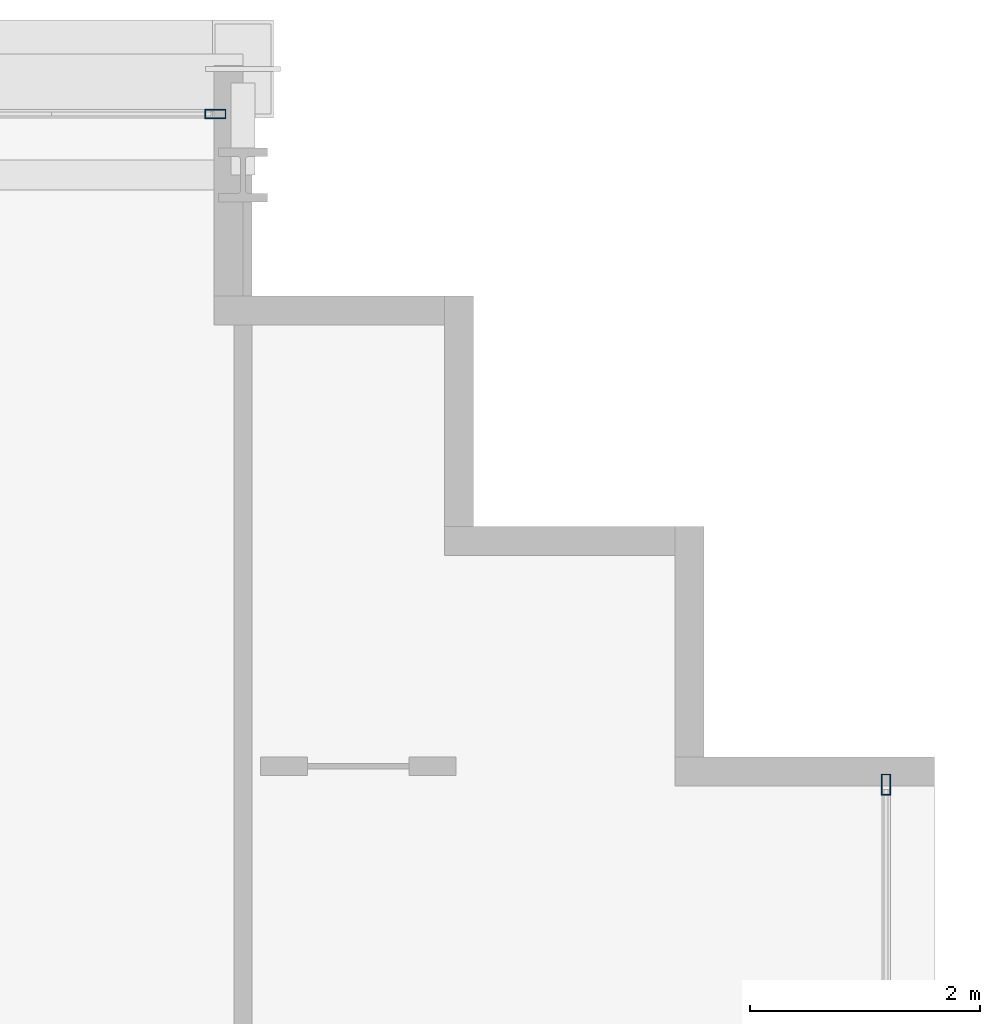
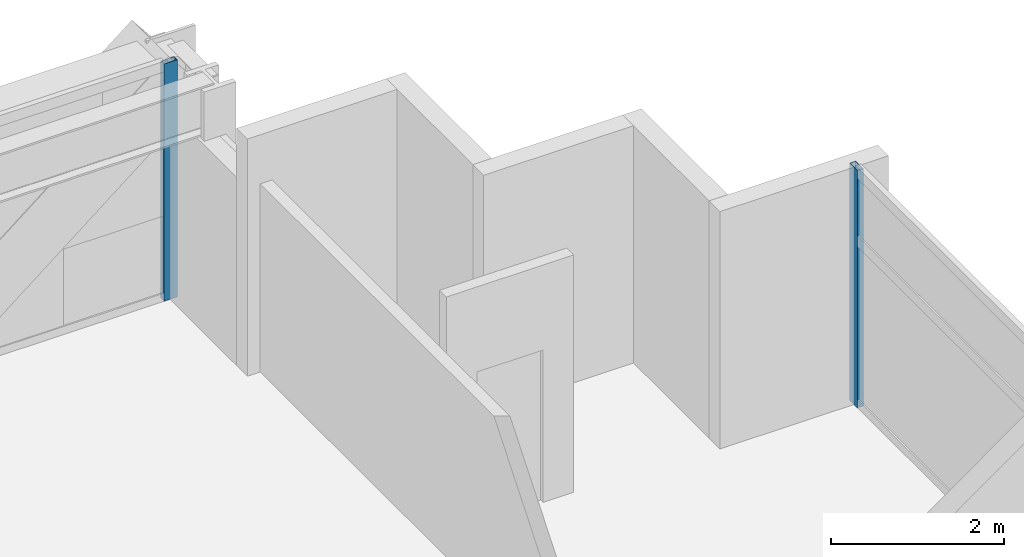
# One storey, part 22 of 38: 2 members, 2 elements without a shape of their own.
"""IFC4 building model written with IfcOpenShell, lengths in metres."""

from ifc_helpers import new_model, si_unit, direction, frame, origin, origin_2d, place, context, subcontext, project, spatial, hollow_rectangle, extrude, source, transform, mapped, material, layer, layer_set, material_profile, profile_set, type_object, element, aggregate, save


model = new_model("IFC4")

# Units and contexts
model_context = context("Model", 3, precision=1e-05, world=origin(), true_north=direction((0.0, 1.0)))
body_context = subcontext(model_context, "Body", "Model", "MODEL_VIEW")
ifc_project = project(units=[si_unit("LENGTHUNIT", "METRE"), si_unit("AREAUNIT", "SQUARE_METRE"), si_unit("VOLUMEUNIT", "CUBIC_METRE"), si_unit("PLANEANGLEUNIT", "RADIAN"), si_unit("MASSUNIT", "GRAM", prefix="KILO")], contexts=[model_context])

# Site, building, storey
site_placement = place(None, origin())
site = spatial("IfcSite", under=ifc_project, at=site_placement, CompositionType="ELEMENT")
building_placement = place(site_placement, origin())
building = spatial("IfcBuilding", under=site, at=building_placement, Name="Ocotamira Hotel", CompositionType="ELEMENT")
storey_placement = place(building_placement, frame((0.0, 0.0, 45.60009765625)))
storey = spatial("IfcBuildingStorey", under=building, at=storey_placement, Name="L10", CompositionType="ELEMENT", Elevation=45.60009765625)

# Curtain wall, member
ifc_material_1 = material(Name="Anodised pale-metal aluminium and solar glass", Category="aluminium")
ifc_layer = layer(ifc_material_1, 0.179931640625)
ifc_layer_set = layer_set([ifc_layer], Name="Anodised pale-metal aluminium and solar glass")
curtain_wall_type = type_object("IfcCurtainWallType", Name="CW-SYS2-Z1", PredefinedType="NOTDEFINED", material=ifc_layer_set)
curtain_wall_1_placement = place(storey_placement, origin())
curtain_wall_1 = element("IfcCurtainWall", 1, at=curtain_wall_1_placement, inside=storey, type_object=curtain_wall_type, Name="L10 Curtain Wall CW-2 CW-L10-N", PredefinedType="NOTDEFINED")
ifc_material_2 = material(Name="Anodised pale-metal aluminium 6063-T6", Category="aluminium")
ifc_material_profile = material_profile(ifc_material_2, hollow_rectangle(XDim=0.080078125, YDim=0.179931640625, WallThickness=0.006103515625, at=origin_2d()), Name="HSS180X80X6")
ifc_profile_set = profile_set([ifc_material_profile], Name="Anodised pale-metal aluminium 6063-T6")
member_type = type_object("IfcMemberType", Name="CWM-180X75", PredefinedType="MULLION", material=ifc_profile_set)
shared_shape = source(origin(), body_context, "Body", "SweptSolid", [
    extrude(hollow_rectangle(XDim=0.080078125, YDim=0.179931640625, WallThickness=0.006103515625, at=origin_2d()), origin(), (0.0, 0.0, 1.0), 3.349853515625),
])
member_1_placement = place(storey_placement, frame((49.760009765625, 49.580078125, 0.0), z_axis=(0.0, 0.0, 1.0), x_axis=(0.0, 1.0, 0.0)))
member_1 = element("IfcMember", 2, at=member_1_placement, type_object=member_type, Name="CW-2 mullion 10", PredefinedType="MULLION", context=body_context, shape_type="MappedRepresentation", body=[
    mapped(shared_shape, transform((0.0, 0.0, 0.0), scale=1.0)),
])
aggregate(curtain_wall_1, [member_1])

curtain_wall_2_placement = place(storey_placement, origin())
curtain_wall_2 = element("IfcCurtainWall", 3, at=curtain_wall_2_placement, inside=storey, type_object=curtain_wall_type, Name="L10 Curtain Wall CW-2 CW-L10-E", PredefinedType="NOTDEFINED")
member_2_placement = place(storey_placement, frame((55.580078125, 43.760009765625, 0.0), z_axis=(0.0, 0.0, 1.0), x_axis=(-1.0, 0.0, 0.0)))
member_2 = element("IfcMember", 4, at=member_2_placement, type_object=member_type, Name="CW-2 mullion 8", PredefinedType="MULLION", context=body_context, shape_type="MappedRepresentation", body=[
    mapped(shared_shape, transform((0.0, 0.0, 0.0), scale=1.0)),
])
aggregate(curtain_wall_2, [member_2])

save(model, "model.ifc")
